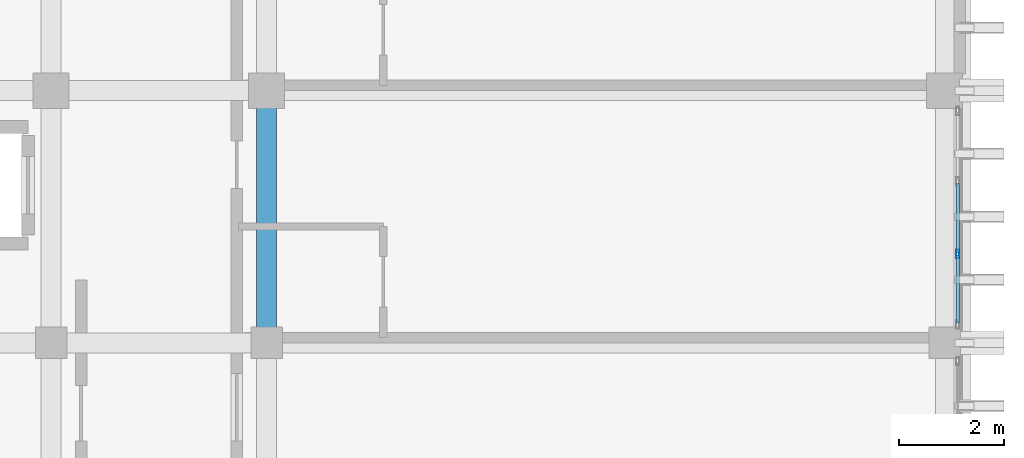
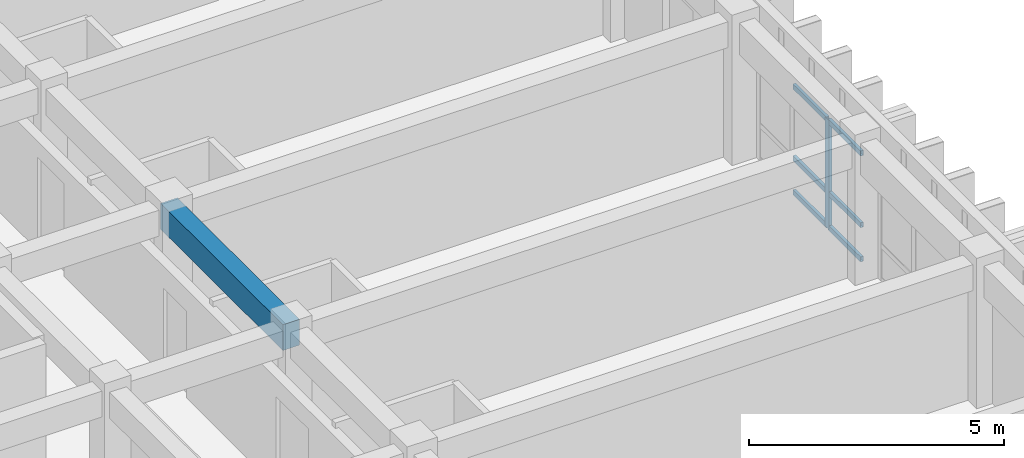
# One storey, part 14 of 53: 7 members, 1 beam, 1 element without a shape of its own.
"""IFC4 building model written with IfcOpenShell, lengths in metres."""

from ifc_helpers import new_model, si_unit, direction, frame, origin, origin_2d, place, context, subcontext, project, spatial, rectangle, hollow_rectangle, extrude, material, layer, layer_set, material_profile, profile_set, type_object, element, aggregate, save


model = new_model("IFC4")

# Units and contexts
model_context = context("Model", 3, precision=1e-05, world=origin(), true_north=direction((0.0, 1.0)))
body_context = subcontext(model_context, "Body", "Model", "MODEL_VIEW")
ifc_project = project(units=[si_unit("LENGTHUNIT", "METRE"), si_unit("AREAUNIT", "SQUARE_METRE"), si_unit("VOLUMEUNIT", "CUBIC_METRE"), si_unit("PLANEANGLEUNIT", "RADIAN"), si_unit("MASSUNIT", "GRAM", prefix="KILO")], contexts=[model_context])

# Site, building, storey
site_placement = place(None, origin())
site = spatial("IfcSite", under=ifc_project, at=site_placement, CompositionType="ELEMENT")
building_placement = place(site_placement, origin())
building = spatial("IfcBuilding", under=site, at=building_placement, Name="Nakhvara Creek Congress Hotel", CompositionType="ELEMENT")
storey_placement = place(building_placement, frame((0.0, 0.0, 35.39990234375)))
storey = spatial("IfcBuildingStorey", under=building, at=storey_placement, Name="L08", CompositionType="ELEMENT", Elevation=35.39990234375)

# Beam
ifc_material_1 = material(Name="Concrete C40/50", Category="concrete")
ifc_material_profile_1 = material_profile(ifc_material_1, rectangle(XDim=0.3798828125, YDim=0.6201171875, at=origin_2d()), Name="RC-BM 380x620", Category="LoadBearing")
ifc_profile_set_1 = profile_set([ifc_material_profile_1], Name="Concrete C40/50")
beam_type = type_object("IfcBeamType", Name="BM-RC-380X620", PredefinedType="BEAM", material=ifc_profile_set_1)
beam_placement = place(storey_placement, frame((166.449951171875, 72.0, 3.050048828125), z_axis=(0.0, 1.0, 0.0), x_axis=(-1.0, 0.0, 0.0)))
element("IfcBeam", 1, at=beam_placement, inside=storey, type_object=beam_type, Name="Beam B10-L08-2480", PredefinedType="BEAM", context=body_context, shape_type="SweptSolid", body=[
    extrude(rectangle(XDim=0.3798828125, YDim=0.6201171875, at=origin_2d()), origin(), (0.0, 0.0, 1.0), 4.800048828125),
])

# Curtain wall, members
ifc_material_2 = material(Name="Bronze-anodised aluminium AW-6063-T6 and double-silver low-E glass", Category="aluminium")
ifc_layer = layer(ifc_material_2, 0.199951171875)
ifc_layer_set = layer_set([ifc_layer], Name="Bronze-anodised aluminium AW-6063-T6 and double-silver low-E glass")
curtain_wall_type = type_object("IfcCurtainWallType", Name="CW-HTL-UNIT", PredefinedType="USERDEFINED", material=ifc_layer_set)
curtain_wall_placement = place(storey_placement, origin())
curtain_wall = element("IfcCurtainWall", 2, at=curtain_wall_placement, inside=storey, type_object=curtain_wall_type, Name="Curtain Wall CW281", ObjectType="UNITISED", PredefinedType="USERDEFINED")
ifc_material_3 = material(Name="Bronze-anodised aluminium AW-6063-T6", Category="aluminium")
ifc_material_profile_2 = material_profile(ifc_material_3, hollow_rectangle(XDim=0.06494140625, YDim=0.159912109375, WallThickness=0.00390625, at=origin_2d()), Name="ALU-MULL 65x160x4", Category="LoadBearing")
ifc_profile_set_2 = profile_set([ifc_material_profile_2], Name="Bronze-anodised aluminium AW-6063-T6")
member_type_1 = type_object("IfcMemberType", Name="CW-MULL-160", PredefinedType="MULLION", material=ifc_profile_set_2)
member_1_placement = place(storey_placement, frame((179.60009765625, 73.691650390625, 0.0), z_axis=(0.0, 0.0, 1.0), x_axis=(1.0, 0.0, 0.0)))
member_1 = element("IfcMember", 3, at=member_1_placement, type_object=member_type_1, Name="CW281 mullion 3", PredefinedType="MULLION", context=body_context, shape_type="SweptSolid", body=[
    extrude(hollow_rectangle(XDim=0.06494140625, YDim=0.159912109375, WallThickness=0.00390625, at=origin_2d()), origin(), (0.0, 0.0, 1.0), 2.60205078125),
])
ifc_material_profile_3 = material_profile(ifc_material_3, hollow_rectangle(XDim=0.06494140625, YDim=0.1201171875, WallThickness=0.00390625, at=origin_2d()), Name="ALU-TRAN 65x120x4", Category="LoadBearing")
ifc_profile_set_3 = profile_set([ifc_material_profile_3], Name="Bronze-anodised aluminium AW-6063-T6")
member_type_2 = type_object("IfcMemberType", Name="CW-TRAN-120", PredefinedType="USERDEFINED", material=ifc_profile_set_3)
member_2_placement = place(storey_placement, frame((179.60009765625, 75.035888671875, 0.03271484375), z_axis=(0.0, -1.0, 0.0), x_axis=(1.0, 0.0, 0.0)))
member_2 = element("IfcMember", 4, at=member_2_placement, type_object=member_type_2, Name="CW281 transom 2.1", ObjectType="TRANSOM", PredefinedType="USERDEFINED", context=body_context, shape_type="SweptSolid", body=[
    extrude(hollow_rectangle(XDim=0.06494140625, YDim=0.1201171875, WallThickness=0.00390625, at=origin_2d()), origin(), (0.0, 0.0, 1.0), 1.311767578125),
])
member_3_placement = place(storey_placement, frame((179.60009765625, 75.035888671875, 0.85009765625), z_axis=(0.0, -1.0, 0.0), x_axis=(1.0, 0.0, 0.0)))
member_3 = element("IfcMember", 5, at=member_3_placement, type_object=member_type_2, Name="CW281 transom 2.2", ObjectType="TRANSOM", PredefinedType="USERDEFINED", context=body_context, shape_type="SweptSolid", body=[
    extrude(hollow_rectangle(XDim=0.06494140625, YDim=0.1201171875, WallThickness=0.00390625, at=origin_2d()), origin(), (0.0, 0.0, 1.0), 1.311767578125),
])
member_4_placement = place(storey_placement, frame((179.60009765625, 75.035888671875, 2.569580078125), z_axis=(0.0, -1.0, 0.0), x_axis=(1.0, 0.0, 0.0)))
member_4 = element("IfcMember", 6, at=member_4_placement, type_object=member_type_2, Name="CW281 transom 2.3", ObjectType="TRANSOM", PredefinedType="USERDEFINED", context=body_context, shape_type="SweptSolid", body=[
    extrude(hollow_rectangle(XDim=0.06494140625, YDim=0.1201171875, WallThickness=0.00390625, at=origin_2d()), origin(), (0.0, 0.0, 1.0), 1.311767578125),
])
member_5_placement = place(storey_placement, frame((179.60009765625, 73.6591796875, 0.03271484375), z_axis=(0.0, -1.0, 0.0), x_axis=(1.0, 0.0, 0.0)))
member_5 = element("IfcMember", 7, at=member_5_placement, type_object=member_type_2, Name="CW281 transom 3.1", ObjectType="TRANSOM", PredefinedType="USERDEFINED", context=body_context, shape_type="SweptSolid", body=[
    extrude(hollow_rectangle(XDim=0.06494140625, YDim=0.1201171875, WallThickness=0.00390625, at=origin_2d()), origin(), (0.0, 0.0, 1.0), 1.279296875),
])
member_6_placement = place(storey_placement, frame((179.60009765625, 73.6591796875, 0.85009765625), z_axis=(0.0, -1.0, 0.0), x_axis=(1.0, 0.0, 0.0)))
member_6 = element("IfcMember", 8, at=member_6_placement, type_object=member_type_2, Name="CW281 transom 3.2", ObjectType="TRANSOM", PredefinedType="USERDEFINED", context=body_context, shape_type="SweptSolid", body=[
    extrude(hollow_rectangle(XDim=0.06494140625, YDim=0.1201171875, WallThickness=0.00390625, at=origin_2d()), origin(), (0.0, 0.0, 1.0), 1.279296875),
])
member_7_placement = place(storey_placement, frame((179.60009765625, 73.6591796875, 2.569580078125), z_axis=(0.0, -1.0, 0.0), x_axis=(1.0, 0.0, 0.0)))
member_7 = element("IfcMember", 9, at=member_7_placement, type_object=member_type_2, Name="CW281 transom 3.3", ObjectType="TRANSOM", PredefinedType="USERDEFINED", context=body_context, shape_type="SweptSolid", body=[
    extrude(hollow_rectangle(XDim=0.06494140625, YDim=0.1201171875, WallThickness=0.00390625, at=origin_2d()), origin(), (0.0, 0.0, 1.0), 1.279296875),
])
aggregate(curtain_wall, [member_1, member_2, member_3, member_4, member_5, member_6, member_7])

save(model, "model.ifc")
